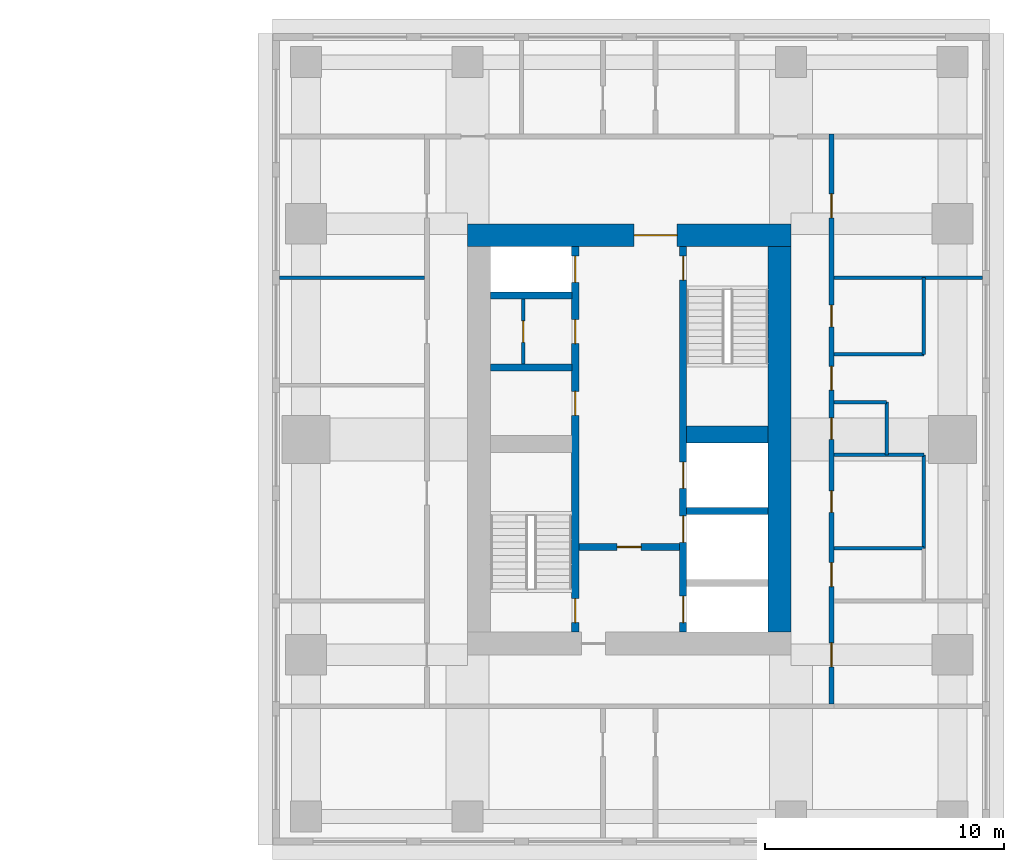
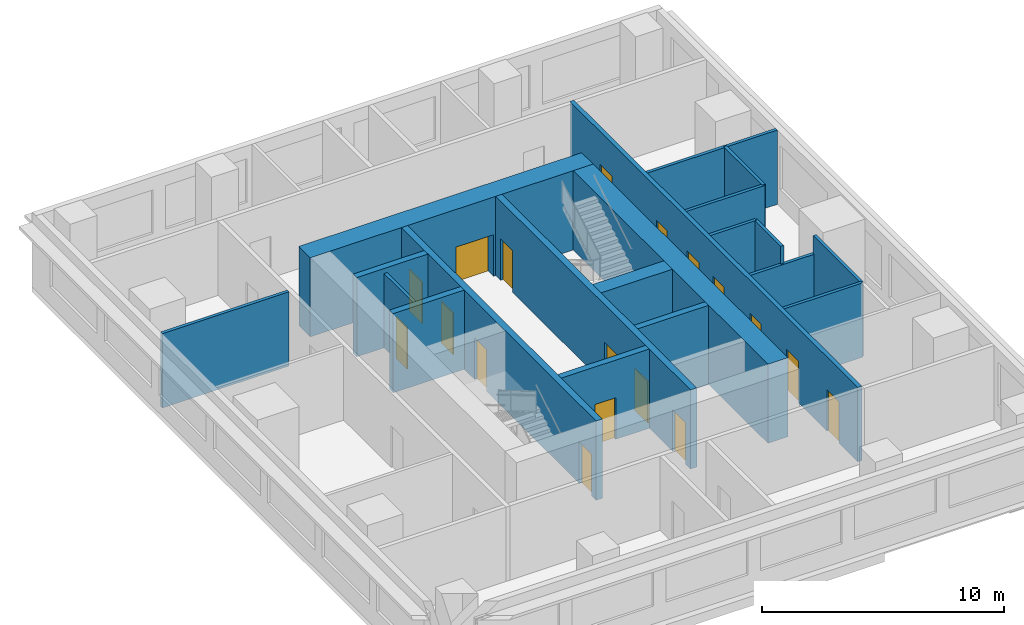
# One storey, part 7 of 11: 20 walls, 18 doors, 18 openings.
"""IFC4 building model written with IfcOpenShell, lengths in metres."""

from ifc_helpers import new_model, si_unit, direction, frame, frame_2d, origin, place, context, subcontext, project, spatial, rectangle, extrude, material, layer, layer_set, type_object, element, fill, save


model = new_model("IFC4")

# Units and contexts
model_context = context("Model", 3, precision=1e-05, world=origin(), true_north=direction((0.0, 1.0)))
body_context = subcontext(model_context, "Body", "Model", "MODEL_VIEW")
ifc_project = project(units=[si_unit("LENGTHUNIT", "METRE"), si_unit("AREAUNIT", "SQUARE_METRE"), si_unit("VOLUMEUNIT", "CUBIC_METRE"), si_unit("PLANEANGLEUNIT", "RADIAN"), si_unit("MASSUNIT", "GRAM", prefix="KILO")], contexts=[model_context])

# Site, building, storey
site_placement = place(None, origin())
site = spatial("IfcSite", under=ifc_project, at=site_placement, CompositionType="ELEMENT")
building_placement = place(site_placement, origin())
building = spatial("IfcBuilding", under=site, at=building_placement, Name="Namib Vertical Campus", CompositionType="ELEMENT")
storey_placement = place(building_placement, frame((0.0, 0.0, 217.0)))
storey = spatial("IfcBuildingStorey", under=building, at=storey_placement, Name="L51", CompositionType="ELEMENT", Elevation=217.0)

# Wall, openings, doors
ifc_material_1 = material(Name="Concrete C60/75", Category="concrete")
ifc_layer_1 = layer(ifc_material_1, 0.300048828125)
ifc_layer_set_1 = layer_set([ifc_layer_1], Name="Concrete C60/75")
wall_type_1 = type_object("IfcWallType", Name="Core inner wall 300", PredefinedType="SHEAR", material=ifc_layer_set_1)
wall_1_placement = place(storey_placement, frame((78.75, 12.199951171875, 0.0), z_axis=(0.0, 0.0, 1.0), x_axis=(0.0, 1.0, 0.0)))
wall_1 = element("IfcWall", 1, at=wall_1_placement, inside=storey, type_object=wall_type_1, Name="Core inner wall B L51 W1", PredefinedType="SHEAR", context=body_context, shape_type="SweptSolid", body=[
    extrude(rectangle(XDim=16.10009765625, YDim=0.300048828125, at=frame_2d((8.050048828125, 0.0))), origin(), (0.0, 0.0, 1.0), 4.0),
])
opening_1_placement = place(wall_1_placement, frame((0.39990234375, 0.0, 0.0)))
opening_1 = element("IfcOpeningElement", 2, at=opening_1_placement, cuts=wall_1, Name="Opening FD1", PredefinedType="OPENING", context=body_context, shape_type="SweptSolid", body=[
    extrude(rectangle(XDim=1.0, YDim=2.10009765625, at=frame_2d((0.5, 1.050048828125))), frame((0.0, 0.159912109375, 0.0), z_axis=(0.0, -1.0, 0.0), x_axis=(1.0, 0.0, 0.0)), (0.0, 0.0, 1.0), 0.320068359375),
])
opening_2_placement = place(wall_1_placement, frame((14.60009765625, 0.0, 0.0)))
opening_2 = element("IfcOpeningElement", 3, at=opening_2_placement, cuts=wall_1, Name="Opening LD1", PredefinedType="OPENING", context=body_context, shape_type="SweptSolid", body=[
    extrude(rectangle(XDim=1.10009765625, YDim=2.10009765625, at=frame_2d((0.550048828125, 1.050048828125))), frame((0.0, 0.159912109375, 0.0), z_axis=(0.0, -1.0, 0.0), x_axis=(1.0, 0.0, 0.0)), (0.0, 0.0, 1.0), 0.320068359375),
])
opening_3_placement = place(wall_1_placement, frame((9.050048828125, 0.0, 0.0)))
opening_3 = element("IfcOpeningElement", 4, at=opening_3_placement, cuts=wall_1, Name="Opening D1", PredefinedType="OPENING", context=body_context, shape_type="SweptSolid", body=[
    extrude(rectangle(XDim=1.0, YDim=2.10009765625, at=frame_2d((0.5, 1.050048828125))), frame((0.0, 0.159912109375, 0.0), z_axis=(0.0, -1.0, 0.0), x_axis=(1.0, 0.0, 0.0)), (0.0, 0.0, 1.0), 0.320068359375),
])
opening_4_placement = place(wall_1_placement, frame((12.050048828125, 0.0, 0.0)))
opening_4 = element("IfcOpeningElement", 5, at=opening_4_placement, cuts=wall_1, Name="Opening D1", PredefinedType="OPENING", context=body_context, shape_type="SweptSolid", body=[
    extrude(rectangle(XDim=1.0, YDim=2.10009765625, at=frame_2d((0.5, 1.050048828125))), frame((0.0, 0.159912109375, 0.0), z_axis=(0.0, -1.0, 0.0), x_axis=(1.0, 0.0, 0.0)), (0.0, 0.0, 1.0), 0.320068359375),
])
ifc_material_2 = material(Name="Timber door leaf", Category="wood")
door_type_1 = type_object("IfcDoorType", Name="Door single 1000x2100", OperationType="SINGLE_SWING_LEFT", PredefinedType="DOOR", material=ifc_material_2)
door_1_placement = place(opening_3_placement, origin())
door_1 = element("IfcDoor", 6, at=door_1_placement, inside=storey, type_object=door_type_1, Name="Door D1 Staff pantry B L51 P1", OperationType="SINGLE_SWING_LEFT", OverallHeight=2.10009765625, OverallWidth=1.0, PredefinedType="DOOR", context=body_context, shape_type="SweptSolid", body=[
    extrude(rectangle(XDim=1.0, YDim=2.10009765625, at=frame_2d((0.5, 1.050048828125))), frame((0.0, 0.02490234375, 0.0), z_axis=(0.0, -1.0, 0.0), x_axis=(1.0, 0.0, 0.0)), (0.0, 0.0, 1.0), 0.050048828125),
])
fill(opening_3, door_1)
door_2_placement = place(opening_4_placement, origin())
door_2 = element("IfcDoor", 7, at=door_2_placement, inside=storey, type_object=door_type_1, Name="Door D1 Records store B L51 P2", OperationType="SINGLE_SWING_LEFT", OverallHeight=2.10009765625, OverallWidth=1.0, PredefinedType="DOOR", context=body_context, shape_type="SweptSolid", body=[
    extrude(rectangle(XDim=1.0, YDim=2.10009765625, at=frame_2d((0.5, 1.050048828125))), frame((0.0, 0.02490234375, 0.0), z_axis=(0.0, -1.0, 0.0), x_axis=(1.0, 0.0, 0.0)), (0.0, 0.0, 1.0), 0.050048828125),
])
fill(opening_4, door_2)
ifc_material_3 = material(Name="Steel fire door", Category="steel")
door_type_2 = type_object("IfcDoorType", Name="Fire door 1000x2100", OperationType="SINGLE_SWING_RIGHT", PredefinedType="DOOR", material=ifc_material_3)
door_3_placement = place(opening_1_placement, origin())
door_3 = element("IfcDoor", 8, at=door_3_placement, inside=storey, type_object=door_type_2, Name="Stair door FD1 B L51 S1", OperationType="SINGLE_SWING_LEFT", OverallHeight=2.10009765625, OverallWidth=1.0, PredefinedType="DOOR", context=body_context, shape_type="SweptSolid", body=[
    extrude(rectangle(XDim=1.0, YDim=2.10009765625, at=frame_2d((0.5, 1.050048828125))), frame((0.0, 0.02490234375, 0.0), z_axis=(0.0, -1.0, 0.0), x_axis=(1.0, 0.0, 0.0)), (0.0, 0.0, 1.0), 0.050048828125),
])
fill(opening_1, door_3)
ifc_material_4 = material(Name="Stainless steel lift door", Category="steel")
door_type_3 = type_object("IfcDoorType", Name="Lift landing door 1100x2100", OperationType="DOUBLE_DOOR_SLIDING", PredefinedType="DOOR", material=ifc_material_4)
door_4_placement = place(opening_2_placement, origin())
door_4 = element("IfcDoor", 9, at=door_4_placement, inside=storey, type_object=door_type_3, Name="Lift landing door LD1 B-P3 L51", OperationType="DOUBLE_DOOR_SLIDING", OverallHeight=2.10009765625, OverallWidth=1.10009765625, PredefinedType="DOOR", context=body_context, shape_type="SweptSolid", body=[
    extrude(rectangle(XDim=1.10009765625, YDim=2.10009765625, at=frame_2d((0.550048828125, 1.050048828125))), frame((0.0, 0.02490234375, 0.0), z_axis=(0.0, -1.0, 0.0), x_axis=(1.0, 0.0, 0.0)), (0.0, 0.0, 1.0), 0.050048828125),
])
fill(opening_2, door_4)

wall_2_placement = place(storey_placement, frame((83.25, 12.199951171875, 0.0), z_axis=(0.0, 0.0, 1.0), x_axis=(0.0, 1.0, 0.0)))
wall_2 = element("IfcWall", 10, at=wall_2_placement, inside=storey, type_object=wall_type_1, Name="Core inner wall B L51 W2", PredefinedType="SHEAR", context=body_context, shape_type="SweptSolid", body=[
    extrude(rectangle(XDim=16.10009765625, YDim=0.300048828125, at=frame_2d((8.050048828125, 0.0))), origin(), (0.0, 0.0, 1.0), 4.0),
])
opening_5_placement = place(wall_2_placement, frame((14.699951171875, 0.0, 0.0)))
opening_5 = element("IfcOpeningElement", 11, at=opening_5_placement, cuts=wall_2, Name="Opening FD1", PredefinedType="OPENING", context=body_context, shape_type="SweptSolid", body=[
    extrude(rectangle(XDim=1.0, YDim=2.10009765625, at=frame_2d((0.5, 1.050048828125))), frame((0.0, 0.159912109375, 0.0), z_axis=(0.0, -1.0, 0.0), x_axis=(1.0, 0.0, 0.0)), (0.0, 0.0, 1.0), 0.320068359375),
])
opening_6_placement = place(wall_2_placement, frame((0.39990234375, 0.0, 0.0)))
opening_6 = element("IfcOpeningElement", 12, at=opening_6_placement, cuts=wall_2, Name="Opening LD1", PredefinedType="OPENING", context=body_context, shape_type="SweptSolid", body=[
    extrude(rectangle(XDim=1.10009765625, YDim=2.10009765625, at=frame_2d((0.550048828125, 1.050048828125))), frame((0.0, 0.159912109375, 0.0), z_axis=(0.0, -1.0, 0.0), x_axis=(1.0, 0.0, 0.0)), (0.0, 0.0, 1.0), 0.320068359375),
])
opening_7_placement = place(wall_2_placement, frame((3.75, 0.0, 0.0)))
opening_7 = element("IfcOpeningElement", 13, at=opening_7_placement, cuts=wall_2, Name="Opening LD1", PredefinedType="OPENING", context=body_context, shape_type="SweptSolid", body=[
    extrude(rectangle(XDim=1.10009765625, YDim=2.10009765625, at=frame_2d((0.550048828125, 1.050048828125))), frame((0.0, 0.159912109375, 0.0), z_axis=(0.0, -1.0, 0.0), x_axis=(1.0, 0.0, 0.0)), (0.0, 0.0, 1.0), 0.320068359375),
])
opening_8_placement = place(wall_2_placement, frame((6.0, 0.0, 0.0)))
opening_8 = element("IfcOpeningElement", 14, at=opening_8_placement, cuts=wall_2, Name="Opening LD1", PredefinedType="OPENING", context=body_context, shape_type="SweptSolid", body=[
    extrude(rectangle(XDim=1.10009765625, YDim=2.10009765625, at=frame_2d((0.550048828125, 1.050048828125))), frame((0.0, 0.159912109375, 0.0), z_axis=(0.0, -1.0, 0.0), x_axis=(1.0, 0.0, 0.0)), (0.0, 0.0, 1.0), 0.320068359375),
])
door_5_placement = place(opening_5_placement, frame((1.0, 0.0, 0.0), z_axis=(0.0, 0.0, 1.0), x_axis=(-1.0, 0.0, 0.0)))
door_5 = element("IfcDoor", 15, at=door_5_placement, inside=storey, type_object=door_type_2, Name="Stair door FD1 B L51 S2", OperationType="SINGLE_SWING_LEFT", OverallHeight=2.10009765625, OverallWidth=1.0, PredefinedType="DOOR", context=body_context, shape_type="SweptSolid", body=[
    extrude(rectangle(XDim=1.0, YDim=2.10009765625, at=frame_2d((0.5, 1.050048828125))), frame((0.0, 0.02490234375, 0.0), z_axis=(0.0, -1.0, 0.0), x_axis=(1.0, 0.0, 0.0)), (0.0, 0.0, 1.0), 0.050048828125),
])
fill(opening_5, door_5)
door_6_placement = place(opening_6_placement, origin())
door_6 = element("IfcDoor", 16, at=door_6_placement, inside=storey, type_object=door_type_3, Name="Lift landing door LD1 B-FL1 L51", OperationType="DOUBLE_DOOR_SLIDING", OverallHeight=2.10009765625, OverallWidth=1.10009765625, PredefinedType="DOOR", context=body_context, shape_type="SweptSolid", body=[
    extrude(rectangle(XDim=1.10009765625, YDim=2.10009765625, at=frame_2d((0.550048828125, 1.050048828125))), frame((0.0, 0.02490234375, 0.0), z_axis=(0.0, -1.0, 0.0), x_axis=(1.0, 0.0, 0.0)), (0.0, 0.0, 1.0), 0.050048828125),
])
fill(opening_6, door_6)
door_7_placement = place(opening_7_placement, origin())
door_7 = element("IfcDoor", 17, at=door_7_placement, inside=storey, type_object=door_type_3, Name="Lift landing door LD1 B-P4 L51", OperationType="DOUBLE_DOOR_SLIDING", OverallHeight=2.10009765625, OverallWidth=1.10009765625, PredefinedType="DOOR", context=body_context, shape_type="SweptSolid", body=[
    extrude(rectangle(XDim=1.10009765625, YDim=2.10009765625, at=frame_2d((0.550048828125, 1.050048828125))), frame((0.0, 0.02490234375, 0.0), z_axis=(0.0, -1.0, 0.0), x_axis=(1.0, 0.0, 0.0)), (0.0, 0.0, 1.0), 0.050048828125),
])
fill(opening_7, door_7)
door_8_placement = place(opening_8_placement, origin())
door_8 = element("IfcDoor", 18, at=door_8_placement, inside=storey, type_object=door_type_3, Name="Lift landing door LD1 B-P5 L51", OperationType="DOUBLE_DOOR_SLIDING", OverallHeight=2.10009765625, OverallWidth=1.10009765625, PredefinedType="DOOR", context=body_context, shape_type="SweptSolid", body=[
    extrude(rectangle(XDim=1.10009765625, YDim=2.10009765625, at=frame_2d((0.550048828125, 1.050048828125))), frame((0.0, 0.02490234375, 0.0), z_axis=(0.0, -1.0, 0.0), x_axis=(1.0, 0.0, 0.0)), (0.0, 0.0, 1.0), 0.050048828125),
])
fill(opening_8, door_8)

# Wall, opening, door
wall_3_placement = place(storey_placement, frame((78.89990234375, 15.75, 0.0), z_axis=(0.0, 0.0, 1.0), x_axis=(1.0, 0.0, 0.0)))
wall_3 = element("IfcWall", 19, at=wall_3_placement, inside=storey, type_object=wall_type_1, Name="Core inner wall B L51 W4", PredefinedType="SHEAR", context=body_context, shape_type="SweptSolid", body=[
    extrude(rectangle(XDim=4.2001953125, YDim=0.300048828125, at=frame_2d((2.10009765625, 0.0))), origin(), (0.0, 0.0, 1.0), 4.0),
])
opening_9_placement = place(wall_3_placement, frame((1.60009765625, 0.0, 0.0)))
opening_9 = element("IfcOpeningElement", 20, at=opening_9_placement, cuts=wall_3, Name="Opening FD5", PredefinedType="OPENING", context=body_context, shape_type="SweptSolid", body=[
    extrude(rectangle(XDim=1.0, YDim=2.10009765625, at=frame_2d((0.5, 1.050048828125))), frame((0.0, 0.159912109375, 0.0), z_axis=(0.0, -1.0, 0.0), x_axis=(1.0, 0.0, 0.0)), (0.0, 0.0, 1.0), 0.320068359375),
])
ifc_material_5 = material(Name="Steel fire door", Category="steel")
door_type_4 = type_object("IfcDoorType", Name="Fire door 1000x2100 120 min", OperationType="SINGLE_SWING_RIGHT", PredefinedType="DOOR", material=ifc_material_5)
door_9_placement = place(opening_9_placement, frame((1.0, 0.0, 0.0), z_axis=(0.0, 0.0, 1.0), x_axis=(-1.0, 0.0, 0.0)))
door_9 = element("IfcDoor", 21, at=door_9_placement, inside=storey, type_object=door_type_4, Name="Lobby door FD5 B L51", OperationType="SINGLE_SWING_RIGHT", OverallHeight=2.10009765625, OverallWidth=1.0, PredefinedType="DOOR", context=body_context, shape_type="SweptSolid", body=[
    extrude(rectangle(XDim=1.0, YDim=2.10009765625, at=frame_2d((0.5, 1.050048828125))), frame((0.0, 0.02490234375, 0.0), z_axis=(0.0, -1.0, 0.0), x_axis=(1.0, 0.0, 0.0)), (0.0, 0.0, 1.0), 0.050048828125),
])
fill(opening_9, door_9)

# Walls
for number, where, z_axis, x_axis, name in (
    (22, (83.39990234375, 17.25, 0.0), (0.0, 0.0, 1.0), (1.0, 0.0, 0.0), "Core inner wall B L51 W6"),
    (23, (75.199951171875, 23.25, 0.0), (0.0, 0.0, 1.0), (1.0, 0.0, 0.0), "Core inner wall B L51 W8"),
    (24, (75.199951171875, 26.25, 0.0), (0.0, 0.0, 1.0), (1.0, 0.0, 0.0), "Core inner wall B L51 W9"),
):
    element("IfcWall", number, at=place(storey_placement, frame(where, z_axis=z_axis, x_axis=x_axis)), inside=storey, type_object=wall_type_1, Name=name, PredefinedType="SHEAR", context=body_context, shape_type="SweptSolid", body=[
        extrude(rectangle(XDim=3.400146484375, YDim=0.300048828125, at=frame_2d((1.7001953125, 0.0))), origin(), (0.0, 0.0, 1.0), 4.0),
    ])
ifc_material_6 = material(Name="Concrete C60/75", Category="concrete")
ifc_layer_2 = layer(ifc_material_6, 0.699951171875)
ifc_layer_set_2 = layer_set([ifc_layer_2], Name="Concrete C60/75")
wall_type_2 = type_object("IfcWallType", Name="Core shear wall 700", PredefinedType="SHEAR", material=ifc_layer_set_2)
wall_4_placement = place(storey_placement, frame((83.39990234375, 20.449951171875, 0.0), z_axis=(0.0, 0.0, 1.0), x_axis=(1.0, 0.0, 0.0)))
element("IfcWall", 25, at=wall_4_placement, inside=storey, type_object=wall_type_2, Name="Core shear wall B L51 W7", PredefinedType="SHEAR", context=body_context, shape_type="SweptSolid", body=[
    extrude(rectangle(XDim=3.400146484375, YDim=0.699951171875, at=frame_2d((1.7001953125, 0.0))), origin(), (0.0, 0.0, 1.0), 4.0),
])
ifc_material_7 = material(Name="Concrete C60/75", Category="concrete")
ifc_layer_3 = layer(ifc_material_7, 0.949951171875)
ifc_layer_set_3 = layer_set([ifc_layer_3], Name="Concrete C60/75")
wall_type_3 = type_object("IfcWallType", Name="Core wall 950", PredefinedType="SHEAR", material=ifc_layer_set_3)
wall_5_placement = place(storey_placement, frame((87.27490234375, 12.199951171875, 0.0), z_axis=(0.0, 0.0, 1.0), x_axis=(0.0, 1.0, 0.0)))
element("IfcWall", 26, at=wall_5_placement, inside=storey, type_object=wall_type_3, Name="Core wall B L51 2", PredefinedType="SHEAR", context=body_context, shape_type="SweptSolid", body=[
    extrude(rectangle(XDim=16.10009765625, YDim=0.949951171875, at=frame_2d((8.050048828125, 0.0))), origin(), (0.0, 0.0, 1.0), 4.0),
])

# Wall, opening, door
wall_6_placement = place(storey_placement, frame((87.75, 28.77490234375, 0.0), z_axis=(0.0, 0.0, 1.0), x_axis=(-1.0, 0.0, 0.0)))
wall_6 = element("IfcWall", 27, at=wall_6_placement, inside=storey, type_object=wall_type_3, Name="Core wall B L51 3", PredefinedType="SHEAR", context=body_context, shape_type="SweptSolid", body=[
    extrude(rectangle(XDim=13.5, YDim=0.949951171875, at=frame_2d((6.75, 0.0))), origin(), (0.0, 0.0, 1.0), 4.0),
])
opening_10_placement = place(wall_6_placement, frame((4.75, 0.0, 0.0)))
opening_10 = element("IfcOpeningElement", 28, at=opening_10_placement, cuts=wall_6, Name="Opening FD2", PredefinedType="OPENING", context=body_context, shape_type="SweptSolid", body=[
    extrude(rectangle(XDim=1.800048828125, YDim=2.10009765625, at=frame_2d((0.89990234375, 1.050048828125))), frame((0.0, 0.48486328125, 0.0), z_axis=(0.0, -1.0, 0.0), x_axis=(1.0, 0.0, 0.0)), (0.0, 0.0, 1.0), 0.969970703125),
])
ifc_material_8 = material(Name="Steel fire door", Category="steel")
door_type_5 = type_object("IfcDoorType", Name="Fire door double 1800x2100", OperationType="DOUBLE_DOOR_SINGLE_SWING", PredefinedType="DOOR", material=ifc_material_8)
door_10_placement = place(opening_10_placement, origin())
door_10 = element("IfcDoor", 29, at=door_10_placement, inside=storey, type_object=door_type_5, Name="Lift lobby door FD2 B L51", OperationType="DOUBLE_DOOR_SINGLE_SWING", OverallHeight=2.10009765625, OverallWidth=1.800048828125, PredefinedType="DOOR", context=body_context, shape_type="SweptSolid", body=[
    extrude(rectangle(XDim=1.800048828125, YDim=2.10009765625, at=frame_2d((0.89990234375, 1.050048828125))), frame((0.0, 0.02490234375, 0.0), z_axis=(0.0, -1.0, 0.0), x_axis=(1.0, 0.0, 0.0)), (0.0, 0.0, 1.0), 0.050048828125),
])
fill(opening_10, door_10)

# Wall, openings, doors
ifc_material_9 = material(Name="Concrete masonry", Category="masonry")
ifc_layer_4 = layer(ifc_material_9, 0.199951171875)
ifc_layer_set_4 = layer_set([ifc_layer_4], Name="Corridor wall 200")
wall_type_4 = type_object("IfcWallType", Name="Corridor wall 200", PredefinedType="SOLIDWALL", material=ifc_layer_set_4)
wall_7_placement = place(storey_placement, frame((89.449951171875, 9.199951171875, 0.0), z_axis=(0.0, 0.0, 1.0), x_axis=(0.0, 1.0, 0.0)))
wall_7 = element("IfcWall", 30, at=wall_7_placement, inside=storey, type_object=wall_type_4, Name="Corridor wall B L51 CE", PredefinedType="SOLIDWALL", context=body_context, shape_type="SweptSolid", body=[
    extrude(rectangle(XDim=23.800048828125, YDim=0.199951171875, at=frame_2d((11.89990234375, 0.0))), origin(), (0.0, 0.0, 1.0), 3.75),
])
opening_11_placement = place(wall_7_placement, frame((1.550048828125, 0.0, 0.0)))
opening_11 = element("IfcOpeningElement", 31, at=opening_11_placement, cuts=wall_7, Name="Opening CD1", PredefinedType="OPENING", context=body_context, shape_type="SweptSolid", body=[
    extrude(rectangle(XDim=1.0, YDim=2.10009765625, at=frame_2d((0.5, 1.050048828125))), frame((0.0, 0.10986328125, 0.0), z_axis=(0.0, -1.0, 0.0), x_axis=(1.0, 0.0, 0.0)), (0.0, 0.0, 1.0), 0.219970703125),
])
opening_12_placement = place(wall_7_placement, frame((4.89990234375, 0.0, 0.0)))
opening_12 = element("IfcOpeningElement", 32, at=opening_12_placement, cuts=wall_7, Name="Opening CD1", PredefinedType="OPENING", context=body_context, shape_type="SweptSolid", body=[
    extrude(rectangle(XDim=1.0, YDim=2.10009765625, at=frame_2d((0.5, 1.050048828125))), frame((0.0, 0.10986328125, 0.0), z_axis=(0.0, -1.0, 0.0), x_axis=(1.0, 0.0, 0.0)), (0.0, 0.0, 1.0), 0.219970703125),
])
opening_13_placement = place(wall_7_placement, frame((8.0, 0.0, 0.0)))
opening_13 = element("IfcOpeningElement", 33, at=opening_13_placement, cuts=wall_7, Name="Opening CD3", PredefinedType="OPENING", context=body_context, shape_type="SweptSolid", body=[
    extrude(rectangle(XDim=0.89990234375, YDim=2.10009765625, at=frame_2d((0.449951171875, 1.050048828125))), frame((0.0, 0.10986328125, 0.0), z_axis=(0.0, -1.0, 0.0), x_axis=(1.0, 0.0, 0.0)), (0.0, 0.0, 1.0), 0.219970703125),
])
opening_14_placement = place(wall_7_placement, frame((11.050048828125, 0.0, 0.0)))
opening_14 = element("IfcOpeningElement", 34, at=opening_14_placement, cuts=wall_7, Name="Opening CD3", PredefinedType="OPENING", context=body_context, shape_type="SweptSolid", body=[
    extrude(rectangle(XDim=0.89990234375, YDim=2.10009765625, at=frame_2d((0.449951171875, 1.050048828125))), frame((0.0, 0.10986328125, 0.0), z_axis=(0.0, -1.0, 0.0), x_axis=(1.0, 0.0, 0.0)), (0.0, 0.0, 1.0), 0.219970703125),
])
opening_15_placement = place(wall_7_placement, frame((15.75, 0.0, 0.0)))
opening_15 = element("IfcOpeningElement", 35, at=opening_15_placement, cuts=wall_7, Name="Opening CD3", PredefinedType="OPENING", context=body_context, shape_type="SweptSolid", body=[
    extrude(rectangle(XDim=0.89990234375, YDim=2.10009765625, at=frame_2d((0.449951171875, 1.050048828125))), frame((0.0, 0.10986328125, 0.0), z_axis=(0.0, -1.0, 0.0), x_axis=(1.0, 0.0, 0.0)), (0.0, 0.0, 1.0), 0.219970703125),
])
opening_16_placement = place(wall_7_placement, frame((13.10009765625, 0.0, 0.0)))
opening_16 = element("IfcOpeningElement", 36, at=opening_16_placement, cuts=wall_7, Name="Opening CD1", PredefinedType="OPENING", context=body_context, shape_type="SweptSolid", body=[
    extrude(rectangle(XDim=1.0, YDim=2.10009765625, at=frame_2d((0.5, 1.050048828125))), frame((0.0, 0.10986328125, 0.0), z_axis=(0.0, -1.0, 0.0), x_axis=(1.0, 0.0, 0.0)), (0.0, 0.0, 1.0), 0.219970703125),
])
opening_17_placement = place(wall_7_placement, frame((20.300048828125, 0.0, 0.0)))
opening_17 = element("IfcOpeningElement", 37, at=opening_17_placement, cuts=wall_7, Name="Opening CD1", PredefinedType="OPENING", context=body_context, shape_type="SweptSolid", body=[
    extrude(rectangle(XDim=1.0, YDim=2.10009765625, at=frame_2d((0.5, 1.050048828125))), frame((0.0, 0.10986328125, 0.0), z_axis=(0.0, -1.0, 0.0), x_axis=(1.0, 0.0, 0.0)), (0.0, 0.0, 1.0), 0.219970703125),
])
ifc_material_10 = material(Name="Timber fire door leaf", Category="wood")
door_type_6 = type_object("IfcDoorType", Name="Corridor door 1000x2100 20 min", OperationType="SINGLE_SWING_LEFT", PredefinedType="DOOR", material=ifc_material_10)
door_11_placement = place(opening_11_placement, frame((1.0, 0.0, 0.0), z_axis=(0.0, 0.0, 1.0), x_axis=(-1.0, 0.0, 0.0)))
door_11 = element("IfcDoor", 38, at=door_11_placement, inside=storey, type_object=door_type_6, Name="Door CD1 B51-03", OperationType="SINGLE_SWING_RIGHT", OverallHeight=2.10009765625, OverallWidth=1.0, PredefinedType="DOOR", context=body_context, shape_type="SweptSolid", body=[
    extrude(rectangle(XDim=1.0, YDim=2.10009765625, at=frame_2d((0.5, 1.050048828125))), frame((0.0, 0.02490234375, 0.0), z_axis=(0.0, -1.0, 0.0), x_axis=(1.0, 0.0, 0.0)), (0.0, 0.0, 1.0), 0.050048828125),
])
fill(opening_11, door_11)
door_12_placement = place(opening_12_placement, frame((1.0, 0.0, 0.0), z_axis=(0.0, 0.0, 1.0), x_axis=(-1.0, 0.0, 0.0)))
door_12 = element("IfcDoor", 39, at=door_12_placement, inside=storey, type_object=door_type_6, Name="Door CD1 B51-04", OperationType="SINGLE_SWING_RIGHT", OverallHeight=2.10009765625, OverallWidth=1.0, PredefinedType="DOOR", context=body_context, shape_type="SweptSolid", body=[
    extrude(rectangle(XDim=1.0, YDim=2.10009765625, at=frame_2d((0.5, 1.050048828125))), frame((0.0, 0.02490234375, 0.0), z_axis=(0.0, -1.0, 0.0), x_axis=(1.0, 0.0, 0.0)), (0.0, 0.0, 1.0), 0.050048828125),
])
fill(opening_12, door_12)
door_13_placement = place(opening_16_placement, frame((1.0, 0.0, 0.0), z_axis=(0.0, 0.0, 1.0), x_axis=(-1.0, 0.0, 0.0)))
door_13 = element("IfcDoor", 40, at=door_13_placement, inside=storey, type_object=door_type_6, Name="Door CD1 B51-08", OperationType="SINGLE_SWING_RIGHT", OverallHeight=2.10009765625, OverallWidth=1.0, PredefinedType="DOOR", context=body_context, shape_type="SweptSolid", body=[
    extrude(rectangle(XDim=1.0, YDim=2.10009765625, at=frame_2d((0.5, 1.050048828125))), frame((0.0, 0.02490234375, 0.0), z_axis=(0.0, -1.0, 0.0), x_axis=(1.0, 0.0, 0.0)), (0.0, 0.0, 1.0), 0.050048828125),
])
fill(opening_16, door_13)
door_14_placement = place(opening_17_placement, frame((1.0, 0.0, 0.0), z_axis=(0.0, 0.0, 1.0), x_axis=(-1.0, 0.0, 0.0)))
door_14 = element("IfcDoor", 41, at=door_14_placement, inside=storey, type_object=door_type_6, Name="Door CD1 B51-09", OperationType="SINGLE_SWING_RIGHT", OverallHeight=2.10009765625, OverallWidth=1.0, PredefinedType="DOOR", context=body_context, shape_type="SweptSolid", body=[
    extrude(rectangle(XDim=1.0, YDim=2.10009765625, at=frame_2d((0.5, 1.050048828125))), frame((0.0, 0.02490234375, 0.0), z_axis=(0.0, -1.0, 0.0), x_axis=(1.0, 0.0, 0.0)), (0.0, 0.0, 1.0), 0.050048828125),
])
fill(opening_17, door_14)
ifc_material_11 = material(Name="Timber fire door leaf", Category="wood")
door_type_7 = type_object("IfcDoorType", Name="Corridor toilet door 900x2100 20 min", OperationType="SINGLE_SWING_LEFT", PredefinedType="DOOR", material=ifc_material_11)
door_15_placement = place(opening_13_placement, frame((0.89990234375, 0.0, 0.0), z_axis=(0.0, 0.0, 1.0), x_axis=(-1.0, 0.0, 0.0)))
door_15 = element("IfcDoor", 42, at=door_15_placement, inside=storey, type_object=door_type_7, Name="Door CD3 B51-05", OperationType="SINGLE_SWING_RIGHT", OverallHeight=2.10009765625, OverallWidth=0.89990234375, PredefinedType="DOOR", context=body_context, shape_type="SweptSolid", body=[
    extrude(rectangle(XDim=0.89990234375, YDim=2.10009765625, at=frame_2d((0.449951171875, 1.050048828125))), frame((0.0, 0.02490234375, 0.0), z_axis=(0.0, -1.0, 0.0), x_axis=(1.0, 0.0, 0.0)), (0.0, 0.0, 1.0), 0.050048828125),
])
fill(opening_13, door_15)
door_16_placement = place(opening_14_placement, frame((0.89990234375, 0.0, 0.0), z_axis=(0.0, 0.0, 1.0), x_axis=(-1.0, 0.0, 0.0)))
door_16 = element("IfcDoor", 43, at=door_16_placement, inside=storey, type_object=door_type_7, Name="Door CD3 B51-06", OperationType="SINGLE_SWING_RIGHT", OverallHeight=2.10009765625, OverallWidth=0.89990234375, PredefinedType="DOOR", context=body_context, shape_type="SweptSolid", body=[
    extrude(rectangle(XDim=0.89990234375, YDim=2.10009765625, at=frame_2d((0.449951171875, 1.050048828125))), frame((0.0, 0.02490234375, 0.0), z_axis=(0.0, -1.0, 0.0), x_axis=(1.0, 0.0, 0.0)), (0.0, 0.0, 1.0), 0.050048828125),
])
fill(opening_14, door_16)
door_17_placement = place(opening_15_placement, frame((0.89990234375, 0.0, 0.0), z_axis=(0.0, 0.0, 1.0), x_axis=(-1.0, 0.0, 0.0)))
door_17 = element("IfcDoor", 44, at=door_17_placement, inside=storey, type_object=door_type_7, Name="Door CD3 B51-07", OperationType="SINGLE_SWING_RIGHT", OverallHeight=2.10009765625, OverallWidth=0.89990234375, PredefinedType="DOOR", context=body_context, shape_type="SweptSolid", body=[
    extrude(rectangle(XDim=0.89990234375, YDim=2.10009765625, at=frame_2d((0.449951171875, 1.050048828125))), frame((0.0, 0.02490234375, 0.0), z_axis=(0.0, -1.0, 0.0), x_axis=(1.0, 0.0, 0.0)), (0.0, 0.0, 1.0), 0.050048828125),
])
fill(opening_15, door_17)

# Wall, opening, door
ifc_material_12 = material(Name="Gypsum board on steel studs", Category="steel")
ifc_layer_5 = layer(ifc_material_12, 0.14990234375)
ifc_layer_set_5 = layer_set([ifc_layer_5], Name="Gypsum board on steel studs")
wall_type_5 = type_object("IfcWallType", Name="Partition 150", PredefinedType="PARTITIONING", material=ifc_layer_set_5)
wall_8_placement = place(storey_placement, frame((76.574951171875, 23.39990234375, 0.0), z_axis=(0.0, 0.0, 1.0), x_axis=(0.0, 1.0, 0.0)))
wall_8 = element("IfcWall", 45, at=wall_8_placement, inside=storey, type_object=wall_type_5, Name="Partition B L51 Records store P2 back", PredefinedType="PARTITIONING", context=body_context, shape_type="SweptSolid", body=[
    extrude(rectangle(XDim=2.7001953125, YDim=0.14990234375, at=frame_2d((1.35009765625, 0.0))), origin(), (0.0, 0.0, 1.0), 3.75),
])
opening_18_placement = place(wall_8_placement, frame((0.89990234375, 0.0, 0.0)))
opening_18 = element("IfcOpeningElement", 46, at=opening_18_placement, cuts=wall_8, Name="Opening D3", PredefinedType="OPENING", context=body_context, shape_type="SweptSolid", body=[
    extrude(rectangle(XDim=0.89990234375, YDim=2.10009765625, at=frame_2d((0.449951171875, 1.050048828125))), frame((0.0, 0.0849609375, 0.0), z_axis=(0.0, -1.0, 0.0), x_axis=(1.0, 0.0, 0.0)), (0.0, 0.0, 1.0), 0.169921875),
])
ifc_material_13 = material(Name="Timber door leaf", Category="wood")
door_type_8 = type_object("IfcDoorType", Name="Toilet door 900x2100", OperationType="SINGLE_SWING_LEFT", PredefinedType="DOOR", material=ifc_material_13)
door_18_placement = place(opening_18_placement, origin())
door_18 = element("IfcDoor", 47, at=door_18_placement, inside=storey, type_object=door_type_8, Name="Door D3 Store B L51 P2", OperationType="SINGLE_SWING_LEFT", OverallHeight=2.10009765625, OverallWidth=0.89990234375, PredefinedType="DOOR", context=body_context, shape_type="SweptSolid", body=[
    extrude(rectangle(XDim=0.89990234375, YDim=2.10009765625, at=frame_2d((0.449951171875, 1.050048828125))), frame((0.0, 0.02490234375, 0.0), z_axis=(0.0, -1.0, 0.0), x_axis=(1.0, 0.0, 0.0)), (0.0, 0.0, 1.0), 0.050048828125),
])
fill(opening_18, door_18)

# Walls
wall_9_placement = place(storey_placement, frame((89.550048828125, 27.0, 0.0), z_axis=(0.0, 0.0, 1.0), x_axis=(1.0, 0.0, 0.0)))
element("IfcWall", 48, at=wall_9_placement, inside=storey, type_object=wall_type_5, Name="Partition B L51 PE2", PredefinedType="PARTITIONING", context=body_context, shape_type="SweptSolid", body=[
    extrude(rectangle(XDim=6.199951171875, YDim=0.14990234375, at=frame_2d((3.10009765625, 0.0))), origin(), (0.0, 0.0, 1.0), 3.75),
])
wall_10_placement = place(storey_placement, frame((66.39990234375, 27.0, 0.0), z_axis=(0.0, 0.0, 1.0), x_axis=(1.0, 0.0, 0.0)))
element("IfcWall", 49, at=wall_10_placement, inside=storey, type_object=wall_type_5, Name="Partition B L51 PW3", PredefinedType="PARTITIONING", context=body_context, shape_type="SweptSolid", body=[
    extrude(rectangle(XDim=6.050048828125, YDim=0.14990234375, at=frame_2d((3.02490234375, 0.0))), origin(), (0.0, 0.0, 1.0), 3.75),
])
wall_11_placement = place(storey_placement, frame((89.550048828125, 15.699951171875, 0.0), z_axis=(0.0, 0.0, 1.0), x_axis=(1.0, 0.0, 0.0)))
element("IfcWall", 50, at=wall_11_placement, inside=storey, type_object=wall_type_5, Name="Partition B L51 WR1", PredefinedType="PARTITIONING", context=body_context, shape_type="SweptSolid", body=[
    extrude(rectangle(XDim=3.75, YDim=0.14990234375, at=frame_2d((1.875, 0.0))), origin(), (0.0, 0.0, 1.0), 3.75),
])
wall_12_placement = place(storey_placement, frame((89.550048828125, 19.60009765625, 0.0), z_axis=(0.0, 0.0, 1.0), x_axis=(1.0, 0.0, 0.0)))
element("IfcWall", 51, at=wall_12_placement, inside=storey, type_object=wall_type_5, Name="Partition B L51 WR2", PredefinedType="PARTITIONING", context=body_context, shape_type="SweptSolid", body=[
    extrude(rectangle(XDim=3.75, YDim=0.14990234375, at=frame_2d((1.875, 0.0))), origin(), (0.0, 0.0, 1.0), 2.85009765625),
])
wall_13_placement = place(storey_placement, frame((89.550048828125, 21.800048828125, 0.0), z_axis=(0.0, 0.0, 1.0), x_axis=(1.0, 0.0, 0.0)))
element("IfcWall", 52, at=wall_13_placement, inside=storey, type_object=wall_type_5, Name="Partition B L51 WR3", PredefinedType="PARTITIONING", context=body_context, shape_type="SweptSolid", body=[
    extrude(rectangle(XDim=2.199951171875, YDim=0.14990234375, at=frame_2d((1.10009765625, 0.0))), origin(), (0.0, 0.0, 1.0), 3.75),
])
wall_14_placement = place(storey_placement, frame((89.550048828125, 23.800048828125, 0.0), z_axis=(0.0, 0.0, 1.0), x_axis=(1.0, 0.0, 0.0)))
element("IfcWall", 53, at=wall_14_placement, inside=storey, type_object=wall_type_5, Name="Partition B L51 WR4", PredefinedType="PARTITIONING", context=body_context, shape_type="SweptSolid", body=[
    extrude(rectangle(XDim=3.75, YDim=0.14990234375, at=frame_2d((1.875, 0.0))), origin(), (0.0, 0.0, 1.0), 3.75),
])
wall_15_placement = place(storey_placement, frame((93.300048828125, 15.699951171875, 0.0), z_axis=(0.0, 0.0, 1.0), x_axis=(0.0, 1.0, 0.0)))
element("IfcWall", 54, at=wall_15_placement, inside=storey, type_object=wall_type_5, Name="Partition B L51 WB2", PredefinedType="PARTITIONING", context=body_context, shape_type="SweptSolid", body=[
    extrude(rectangle(XDim=3.900146484375, YDim=0.14990234375, at=frame_2d((1.9501953125, 0.0))), origin(), (0.0, 0.0, 1.0), 3.75),
])
wall_16_placement = place(storey_placement, frame((91.75, 19.60009765625, 0.0), z_axis=(0.0, 0.0, 1.0), x_axis=(0.0, 1.0, 0.0)))
element("IfcWall", 55, at=wall_16_placement, inside=storey, type_object=wall_type_5, Name="Partition B L51 WB3", PredefinedType="PARTITIONING", context=body_context, shape_type="SweptSolid", body=[
    extrude(rectangle(XDim=2.199951171875, YDim=0.14990234375, at=frame_2d((1.10009765625, 0.0))), origin(), (0.0, 0.0, 1.0), 3.75),
])
wall_17_placement = place(storey_placement, frame((93.300048828125, 23.800048828125, 0.0), z_axis=(0.0, 0.0, 1.0), x_axis=(0.0, 1.0, 0.0)))
element("IfcWall", 56, at=wall_17_placement, inside=storey, type_object=wall_type_5, Name="Partition B L51 WB4", PredefinedType="PARTITIONING", context=body_context, shape_type="SweptSolid", body=[
    extrude(rectangle(XDim=3.199951171875, YDim=0.14990234375, at=frame_2d((1.60009765625, 0.0))), origin(), (0.0, 0.0, 1.0), 3.75),
])

save(model, "model.ifc")
